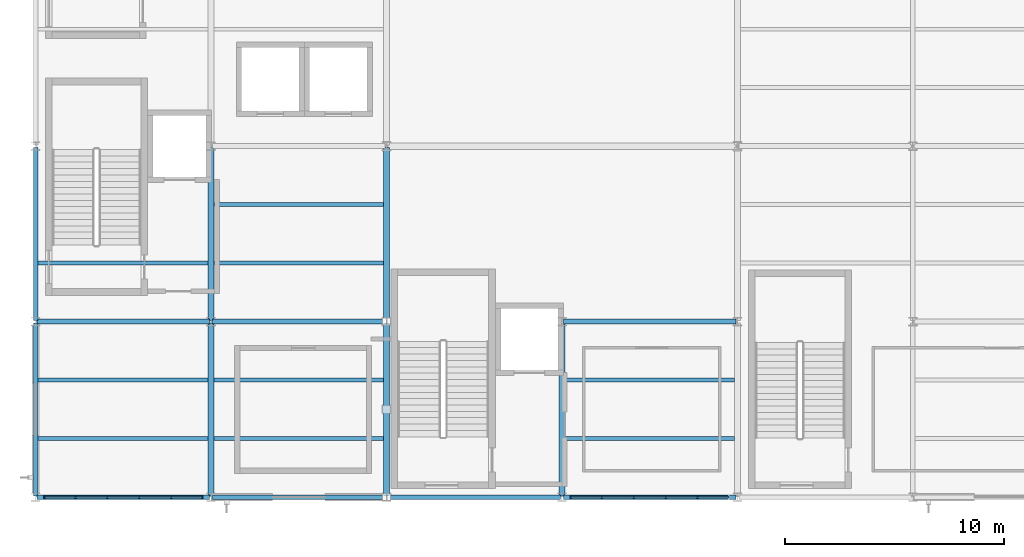
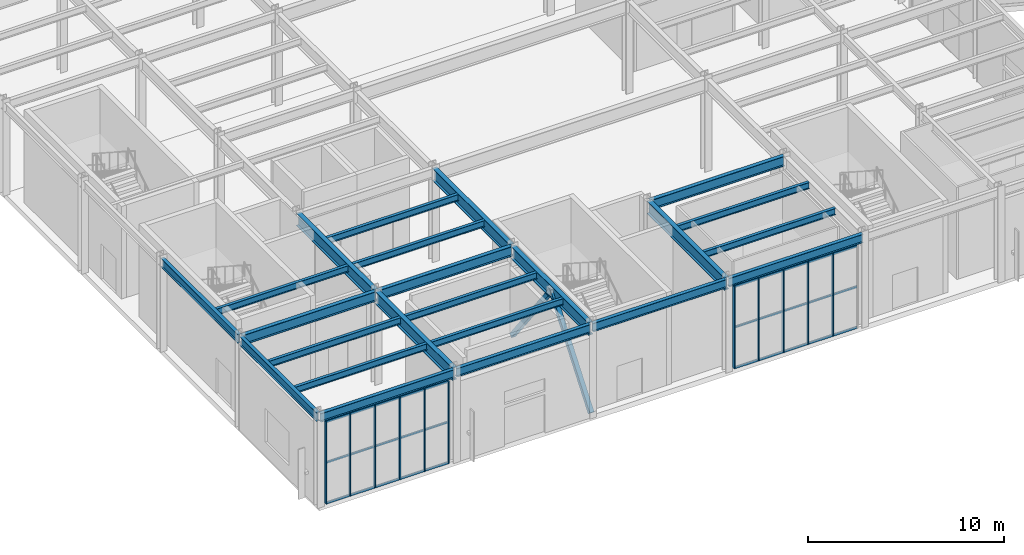
# One storey, part 27 of 82: 23 beams, 19 members, 2 elements without a shape of their own.
"""IFC4 building model written with IfcOpenShell, lengths in metres."""

from ifc_helpers import new_model, si_unit, direction, frame, origin, origin_2d, place, context, subcontext, project, spatial, rectangle, hollow_rectangle, i_section, extrude, material, material_profile, profile_set, type_object, element, aggregate, save


model = new_model("IFC4")

# Units and contexts
model_context = context("Model", 3, precision=1e-05, world=origin(), true_north=direction((0.0, 1.0)))
body_context = subcontext(model_context, "Body", "Model", "MODEL_VIEW")
ifc_project = project(units=[si_unit("LENGTHUNIT", "METRE"), si_unit("AREAUNIT", "SQUARE_METRE"), si_unit("VOLUMEUNIT", "CUBIC_METRE"), si_unit("PLANEANGLEUNIT", "RADIAN"), si_unit("MASSUNIT", "GRAM", prefix="KILO")], contexts=[model_context])

# Site, building, storey
site_placement = place(None, origin())
site = spatial("IfcSite", under=ifc_project, at=site_placement, CompositionType="ELEMENT")
building_placement = place(site_placement, origin())
building = spatial("IfcBuilding", under=site, at=building_placement, Name="Drelvath Fold Interchange", CompositionType="ELEMENT")
storey_placement = place(building_placement, origin())
storey = spatial("IfcBuildingStorey", under=building, at=storey_placement, Name="L00", CompositionType="ELEMENT", Elevation=0.0)

# Beams
ifc_material_1 = material(Name="Steel ASTM A992 Grade 50", Category="steel")
ifc_material_profile_1 = material_profile(ifc_material_1, i_section(OverallWidth=0.177978515625, OverallDepth=0.403076171875, WebThickness=0.007568359375, FlangeThickness=0.010986328125, at=origin_2d()), Name="W16X36")
ifc_profile_set_1 = profile_set([ifc_material_profile_1], Name="Steel ASTM A992 Grade 50")
beam_type_1 = type_object("IfcBeamType", Name="BM-W16X36", PredefinedType="JOIST", material=ifc_profile_set_1)
for number, where, z_axis, x_axis, name in (
    (1, (4.10302734375, 5.6669921875, 5.55810546875), (1.0, 0.0, 0.0), (0.0, 1.0, 0.0), "L00 Secondary floor joist BM-W16X36"),
    (2, (4.10302734375, 8.3330078125, 5.55810546875), (1.0, 0.0, 0.0), (0.0, 1.0, 0.0), "L00 Secondary floor joist BM-W16X36"),
    (3, (4.10302734375, 13.6669921875, 5.55810546875), (1.0, 0.0, 0.0), (0.0, 1.0, 0.0), "L00 Secondary floor joist BM-W16X36"),
):
    element("IfcBeam", number, at=place(storey_placement, frame(where, z_axis=z_axis, x_axis=x_axis)), inside=storey, type_object=beam_type_1, Name=name, PredefinedType="JOIST", context=body_context, shape_type="SweptSolid", body=[
        extrude(i_section(OverallWidth=0.177978515625, OverallDepth=0.403076171875, WebThickness=0.007568359375, FlangeThickness=0.010986328125, at=origin_2d()), origin(), (0.0, 0.0, 1.0), 7.765869140625),
    ])
for number, where, z_axis, x_axis, name in (
    (4, (12.131103515625, 5.6669921875, 5.55810546875), (1.0, 0.0, 0.0), (0.0, 1.0, 0.0), "L00 Secondary floor joist BM-W16X36"),
    (5, (12.131103515625, 8.3330078125, 5.55810546875), (1.0, 0.0, 0.0), (0.0, 1.0, 0.0), "L00 Secondary floor joist BM-W16X36"),
    (6, (12.131103515625, 13.6669921875, 5.55810546875), (1.0, 0.0, 0.0), (0.0, 1.0, 0.0), "L00 Secondary floor joist BM-W16X36"),
    (7, (12.131103515625, 16.3330078125, 5.55810546875), (1.0, 0.0, 0.0), (0.0, 1.0, 0.0), "L00 Secondary floor joist BM-W16X36"),
    (8, (28.131103515625, 5.6669921875, 5.55810546875), (1.0, 0.0, 0.0), (0.0, 1.0, 0.0), "L00 Secondary floor joist BM-W16X36"),
    (9, (28.131103515625, 8.3330078125, 5.55810546875), (1.0, 0.0, 0.0), (0.0, 1.0, 0.0), "L00 Secondary floor joist BM-W16X36"),
):
    element("IfcBeam", number, at=place(storey_placement, frame(where, z_axis=z_axis, x_axis=x_axis)), inside=storey, type_object=beam_type_1, Name=name, PredefinedType="JOIST", context=body_context, shape_type="SweptSolid", body=[
        extrude(i_section(OverallWidth=0.177978515625, OverallDepth=0.403076171875, WebThickness=0.007568359375, FlangeThickness=0.010986328125, at=origin_2d()), origin(), (0.0, 0.0, 1.0), 7.73779296875),
    ])
ifc_material_profile_2 = material_profile(ifc_material_1, i_section(OverallWidth=0.2099609375, OverallDepth=0.537109375, WebThickness=0.010986328125, FlangeThickness=0.017333984375, at=origin_2d()), Name="W21X68")
ifc_profile_set_2 = profile_set([ifc_material_profile_2], Name="Steel ASTM A992 Grade 50")
beam_type_2 = type_object("IfcBeamType", Name="BM-W21X68", PredefinedType="SPANDREL", material=ifc_profile_set_2)
for number, where, z_axis, x_axis, name in (
    (10, (4.06005859375, 3.0, 5.490966796875), (1.0, 0.0, 0.0), (0.0, 1.0, 0.0), "L00 Primary X girder BM-W21X68"),
    (11, (12.06005859375, 3.0, 5.490966796875), (1.0, 0.0, 0.0), (0.0, 1.0, 0.0), "L00 Primary X girder BM-W21X68"),
    (12, (20.06005859375, 3.0, 5.490966796875), (1.0, 0.0, 0.0), (0.0, 1.0, 0.0), "L00 Primary X girder BM-W21X68"),
    (13, (28.06005859375, 3.0, 5.490966796875), (1.0, 0.0, 0.0), (0.0, 1.0, 0.0), "L00 Primary X girder BM-W21X68"),
    (14, (4.0, 3.06005859375, 5.490966796875), (0.0, 1.0, 0.0), (-1.0, 0.0, 0.0), "L00 Primary Y girder BM-W21X68"),
    (15, (4.0, 11.06005859375, 5.490966796875), (0.0, 1.0, 0.0), (-1.0, 0.0, 0.0), "L00 Primary Y girder BM-W21X68"),
):
    element("IfcBeam", number, at=place(storey_placement, frame(where, z_axis=z_axis, x_axis=x_axis)), inside=storey, type_object=beam_type_2, Name=name, PredefinedType="SPANDREL", context=body_context, shape_type="SweptSolid", body=[
        extrude(i_section(OverallWidth=0.2099609375, OverallDepth=0.537109375, WebThickness=0.010986328125, FlangeThickness=0.017333984375, at=origin_2d()), origin(), (0.0, 0.0, 1.0), 7.8798828125),
    ])
ifc_material_profile_3 = material_profile(ifc_material_1, i_section(OverallWidth=0.22998046875, OverallDepth=0.616943359375, WebThickness=0.01318359375, FlangeThickness=0.022216796875, at=origin_2d()), Name="W24X94")
ifc_profile_set_3 = profile_set([ifc_material_profile_3], Name="Steel ASTM A992 Grade 50")
beam_type_3 = type_object("IfcBeamType", Name="BM-W24X94", PredefinedType="BEAM", material=ifc_profile_set_3)
for number, where, z_axis, x_axis, name in (
    (16, (4.06005859375, 11.0, 5.450927734375), (1.0, 0.0, 0.0), (0.0, 1.0, 0.0), "L00 Primary X girder BM-W24X94"),
    (17, (12.06005859375, 11.0, 5.450927734375), (1.0, 0.0, 0.0), (0.0, 1.0, 0.0), "L00 Primary X girder BM-W24X94"),
    (18, (28.06005859375, 11.0, 5.450927734375), (1.0, 0.0, 0.0), (0.0, 1.0, 0.0), "L00 Primary X girder BM-W24X94"),
):
    element("IfcBeam", number, at=place(storey_placement, frame(where, z_axis=z_axis, x_axis=x_axis)), inside=storey, type_object=beam_type_3, Name=name, PredefinedType="BEAM", context=body_context, shape_type="SweptSolid", body=[
        extrude(i_section(OverallWidth=0.22998046875, OverallDepth=0.616943359375, WebThickness=0.01318359375, FlangeThickness=0.022216796875, at=origin_2d()), origin(), (0.0, 0.0, 1.0), 7.8798828125),
    ])
ifc_material_profile_4 = material_profile(ifc_material_1, i_section(OverallWidth=0.26611328125, OverallDepth=0.779052734375, WebThickness=0.0166015625, FlangeThickness=0.030029296875, at=origin_2d()), Name="W30X148")
ifc_profile_set_4 = profile_set([ifc_material_profile_4], Name="Steel ASTM A992 Grade 50")
beam_type_4 = type_object("IfcBeamType", Name="BM-W30X148", PredefinedType="BEAM", material=ifc_profile_set_4)
for number, where, z_axis, x_axis, name in (
    (19, (12.0, 3.06005859375, 5.3701171875), (0.0, 1.0, 0.0), (-1.0, 0.0, 0.0), "L00 Primary Y girder BM-W30X148"),
    (20, (12.0, 11.06005859375, 5.3701171875), (0.0, 1.0, 0.0), (-1.0, 0.0, 0.0), "L00 Primary Y girder BM-W30X148"),
    (21, (20.0, 3.06005859375, 5.3701171875), (0.0, 1.0, 0.0), (-1.0, 0.0, 0.0), "L00 Primary Y girder BM-W30X148"),
    (22, (20.0, 11.06005859375, 5.3701171875), (0.0, 1.0, 0.0), (-1.0, 0.0, 0.0), "L00 Primary Y girder BM-W30X148"),
    (23, (28.0, 3.06005859375, 5.3701171875), (0.0, 1.0, 0.0), (-1.0, 0.0, 0.0), "L00 Primary Y girder BM-W30X148"),
):
    element("IfcBeam", number, at=place(storey_placement, frame(where, z_axis=z_axis, x_axis=x_axis)), inside=storey, type_object=beam_type_4, Name=name, PredefinedType="BEAM", context=body_context, shape_type="SweptSolid", body=[
        extrude(i_section(OverallWidth=0.26611328125, OverallDepth=0.779052734375, WebThickness=0.0166015625, FlangeThickness=0.030029296875, at=origin_2d()), origin(), (0.0, 0.0, 1.0), 7.8798828125),
    ])

# Members
ifc_material_2 = material(Name="Steel ASTM A500 Grade C", Category="steel")
ifc_material_profile_5 = material_profile(ifc_material_2, hollow_rectangle(XDim=0.25390625, YDim=0.25390625, WallThickness=0.01171875, at=origin_2d()), Name="HSS10X10X1/2")
ifc_profile_set_5 = profile_set([ifc_material_profile_5], Name="Steel ASTM A500 Grade C")
member_type_1 = type_object("IfcMemberType", Name="BR-CBF254", PredefinedType="BRACE", material=ifc_profile_set_5)
for number, where, z_axis, x_axis, name in (
    (24, (20.0, 3.0, 0.159912109375), (0.0, 0.608959667111, 0.793201187488), (-1.0, 0.0, 0.0), "L00 Concentrically braced frame diagonal BR-CBF254"),
    (25, (20.0, 11.0, 0.159912109375), (0.0, -0.608959667111, 0.793201187488), (1.0, 0.0, 0.0), "L00 Concentrically braced frame diagonal BR-CBF254"),
):
    element("IfcMember", number, at=place(storey_placement, frame(where, z_axis=z_axis, x_axis=x_axis)), inside=storey, type_object=member_type_1, Name=name, PredefinedType="BRACE", context=body_context, shape_type="SweptSolid", body=[
        extrude(hollow_rectangle(XDim=0.25390625, YDim=0.25390625, WallThickness=0.01171875, at=origin_2d()), origin(), (0.0, 0.0, 1.0), 6.568603515625),
    ])

# Curtain wall, members
ifc_material_3 = material(Name="Anodized Aluminium 6063-T6", Category="aluminium")
curtain_wall_type = type_object("IfcCurtainWallType", Name="CW-OPS-L00", PredefinedType="USERDEFINED", material=ifc_material_3)
curtain_wall_1_placement = place(storey_placement, origin())
curtain_wall_1 = element("IfcCurtainWall", 26, at=curtain_wall_1_placement, inside=storey, type_object=curtain_wall_type, Name="Curtain wall CW-V5-L00-S4", ObjectType="UNITISED CURTAIN WALL", PredefinedType="USERDEFINED")
ifc_material_profile_6 = material_profile(ifc_material_3, rectangle(XDim=0.06005859375, YDim=0.175048828125, at=origin_2d()), Name="AL-M 60x175")
ifc_profile_set_6 = profile_set([ifc_material_profile_6], Name="Anodized Aluminium 6063-T6")
member_type_2 = type_object("IfcMemberType", Name="ML-175", PredefinedType="MULLION", material=ifc_profile_set_6)
member_1_placement = place(storey_placement, frame((4.39990234375, 3.0, 0.0), z_axis=(0.0, 0.0, 1.0), x_axis=(1.0, 0.0, 0.0)))
member_1 = element("IfcMember", 27, at=member_1_placement, type_object=member_type_2, Name="CW-V5-L00-S4 mullion 0", PredefinedType="MULLION", context=body_context, shape_type="SweptSolid", body=[
    extrude(rectangle(XDim=0.06005859375, YDim=0.175048828125, at=origin_2d()), origin(), (0.0, 0.0, 1.0), 5.10009765625),
])
member_2_placement = place(storey_placement, frame((5.81591796875, 3.0, 0.0), z_axis=(0.0, 0.0, 1.0), x_axis=(1.0, 0.0, 0.0)))
member_2 = element("IfcMember", 28, at=member_2_placement, type_object=member_type_2, Name="CW-V5-L00-S4 mullion 1", PredefinedType="MULLION", context=body_context, shape_type="SweptSolid", body=[
    extrude(rectangle(XDim=0.06005859375, YDim=0.175048828125, at=origin_2d()), origin(), (0.0, 0.0, 1.0), 5.10009765625),
])
member_3_placement = place(storey_placement, frame((7.27197265625, 3.0, 0.0), z_axis=(0.0, 0.0, 1.0), x_axis=(1.0, 0.0, 0.0)))
member_3 = element("IfcMember", 29, at=member_3_placement, type_object=member_type_2, Name="CW-V5-L00-S4 mullion 2", PredefinedType="MULLION", context=body_context, shape_type="SweptSolid", body=[
    extrude(rectangle(XDim=0.06005859375, YDim=0.175048828125, at=origin_2d()), origin(), (0.0, 0.0, 1.0), 5.10009765625),
])
member_4_placement = place(storey_placement, frame((8.72802734375, 3.0, 0.0), z_axis=(0.0, 0.0, 1.0), x_axis=(1.0, 0.0, 0.0)))
member_4 = element("IfcMember", 30, at=member_4_placement, type_object=member_type_2, Name="CW-V5-L00-S4 mullion 3", PredefinedType="MULLION", context=body_context, shape_type="SweptSolid", body=[
    extrude(rectangle(XDim=0.06005859375, YDim=0.175048828125, at=origin_2d()), origin(), (0.0, 0.0, 1.0), 5.10009765625),
])
member_5_placement = place(storey_placement, frame((10.18408203125, 3.0, 0.0), z_axis=(0.0, 0.0, 1.0), x_axis=(1.0, 0.0, 0.0)))
member_5 = element("IfcMember", 31, at=member_5_placement, type_object=member_type_2, Name="CW-V5-L00-S4 mullion 4", PredefinedType="MULLION", context=body_context, shape_type="SweptSolid", body=[
    extrude(rectangle(XDim=0.06005859375, YDim=0.175048828125, at=origin_2d()), origin(), (0.0, 0.0, 1.0), 5.10009765625),
])
member_6_placement = place(storey_placement, frame((11.60009765625, 3.0, 0.0), z_axis=(0.0, 0.0, 1.0), x_axis=(1.0, 0.0, 0.0)))
member_6 = element("IfcMember", 32, at=member_6_placement, type_object=member_type_2, Name="CW-V5-L00-S4 mullion 5", PredefinedType="MULLION", context=body_context, shape_type="SweptSolid", body=[
    extrude(rectangle(XDim=0.06005859375, YDim=0.175048828125, at=origin_2d()), origin(), (0.0, 0.0, 1.0), 5.10009765625),
])

curtain_wall_2_placement = place(storey_placement, origin())
curtain_wall_2 = element("IfcCurtainWall", 33, at=curtain_wall_2_placement, inside=storey, type_object=curtain_wall_type, Name="Curtain wall CW-V5-L00-S28", ObjectType="UNITISED CURTAIN WALL", PredefinedType="USERDEFINED")
member_7_placement = place(storey_placement, frame((28.39990234375, 3.0, 0.0), z_axis=(0.0, 0.0, 1.0), x_axis=(1.0, 0.0, 0.0)))
member_7 = element("IfcMember", 34, at=member_7_placement, type_object=member_type_2, Name="CW-V5-L00-S28 mullion 0", PredefinedType="MULLION", context=body_context, shape_type="SweptSolid", body=[
    extrude(rectangle(XDim=0.06005859375, YDim=0.175048828125, at=origin_2d()), origin(), (0.0, 0.0, 1.0), 5.10009765625),
])
member_8_placement = place(storey_placement, frame((29.81591796875, 3.0, 0.0), z_axis=(0.0, 0.0, 1.0), x_axis=(1.0, 0.0, 0.0)))
member_8 = element("IfcMember", 35, at=member_8_placement, type_object=member_type_2, Name="CW-V5-L00-S28 mullion 1", PredefinedType="MULLION", context=body_context, shape_type="SweptSolid", body=[
    extrude(rectangle(XDim=0.06005859375, YDim=0.175048828125, at=origin_2d()), origin(), (0.0, 0.0, 1.0), 5.10009765625),
])
member_9_placement = place(storey_placement, frame((31.27197265625, 3.0, 0.0), z_axis=(0.0, 0.0, 1.0), x_axis=(1.0, 0.0, 0.0)))
member_9 = element("IfcMember", 36, at=member_9_placement, type_object=member_type_2, Name="CW-V5-L00-S28 mullion 2", PredefinedType="MULLION", context=body_context, shape_type="SweptSolid", body=[
    extrude(rectangle(XDim=0.06005859375, YDim=0.175048828125, at=origin_2d()), origin(), (0.0, 0.0, 1.0), 5.10009765625),
])
member_10_placement = place(storey_placement, frame((32.72802734375, 3.0, 0.0), z_axis=(0.0, 0.0, 1.0), x_axis=(1.0, 0.0, 0.0)))
member_10 = element("IfcMember", 37, at=member_10_placement, type_object=member_type_2, Name="CW-V5-L00-S28 mullion 3", PredefinedType="MULLION", context=body_context, shape_type="SweptSolid", body=[
    extrude(rectangle(XDim=0.06005859375, YDim=0.175048828125, at=origin_2d()), origin(), (0.0, 0.0, 1.0), 5.10009765625),
])
member_11_placement = place(storey_placement, frame((34.18408203125, 3.0, 0.0), z_axis=(0.0, 0.0, 1.0), x_axis=(1.0, 0.0, 0.0)))
member_11 = element("IfcMember", 38, at=member_11_placement, type_object=member_type_2, Name="CW-V5-L00-S28 mullion 4", PredefinedType="MULLION", context=body_context, shape_type="SweptSolid", body=[
    extrude(rectangle(XDim=0.06005859375, YDim=0.175048828125, at=origin_2d()), origin(), (0.0, 0.0, 1.0), 5.10009765625),
])

# Member
ifc_material_profile_7 = material_profile(ifc_material_3, rectangle(XDim=0.06005859375, YDim=0.139892578125, at=origin_2d()), Name="AL-T 60x140")
ifc_profile_set_7 = profile_set([ifc_material_profile_7], Name="Anodized Aluminium 6063-T6")
member_type_3 = type_object("IfcMemberType", Name="TR-140", PredefinedType="USERDEFINED", material=ifc_profile_set_7)
member_12_placement = place(storey_placement, frame((4.39990234375, 3.0, 0.030029296875), z_axis=(1.0, 0.0, 0.0), x_axis=(0.0, 1.0, 0.0)))
member_12 = element("IfcMember", 39, at=member_12_placement, type_object=member_type_3, Name="CW-V5-L00-S4 transom 0", ObjectType="TRANSOM", PredefinedType="USERDEFINED", context=body_context, shape_type="SweptSolid", body=[
    extrude(rectangle(XDim=0.06005859375, YDim=0.139892578125, at=origin_2d()), origin(), (0.0, 0.0, 1.0), 7.2001953125),
])

member_13_placement = place(storey_placement, frame((4.39990234375, 3.0, 2.550048828125), z_axis=(1.0, 0.0, 0.0), x_axis=(0.0, 1.0, 0.0)))
member_13 = element("IfcMember", 40, at=member_13_placement, type_object=member_type_3, Name="CW-V5-L00-S4 transom 1", ObjectType="TRANSOM", PredefinedType="USERDEFINED", context=body_context, shape_type="SweptSolid", body=[
    extrude(rectangle(XDim=0.06005859375, YDim=0.139892578125, at=origin_2d()), origin(), (0.0, 0.0, 1.0), 7.2001953125),
])

member_14_placement = place(storey_placement, frame((4.39990234375, 3.0, 5.070068359375), z_axis=(1.0, 0.0, 0.0), x_axis=(0.0, 1.0, 0.0)))
member_14 = element("IfcMember", 41, at=member_14_placement, type_object=member_type_3, Name="CW-V5-L00-S4 transom 2", ObjectType="TRANSOM", PredefinedType="USERDEFINED", context=body_context, shape_type="SweptSolid", body=[
    extrude(rectangle(XDim=0.06005859375, YDim=0.139892578125, at=origin_2d()), origin(), (0.0, 0.0, 1.0), 7.2001953125),
])

aggregate(curtain_wall_1, [member_1, member_2, member_3, member_4, member_5, member_6, member_12, member_13, member_14])

member_15_placement = place(storey_placement, frame((28.39990234375, 3.0, 0.030029296875), z_axis=(1.0, 0.0, 0.0), x_axis=(0.0, 1.0, 0.0)))
member_15 = element("IfcMember", 42, at=member_15_placement, type_object=member_type_3, Name="CW-V5-L00-S28 transom 0", ObjectType="TRANSOM", PredefinedType="USERDEFINED", context=body_context, shape_type="SweptSolid", body=[
    extrude(rectangle(XDim=0.06005859375, YDim=0.139892578125, at=origin_2d()), origin(), (0.0, 0.0, 1.0), 7.2001953125),
])

member_16_placement = place(storey_placement, frame((28.39990234375, 3.0, 2.550048828125), z_axis=(1.0, 0.0, 0.0), x_axis=(0.0, 1.0, 0.0)))
member_16 = element("IfcMember", 43, at=member_16_placement, type_object=member_type_3, Name="CW-V5-L00-S28 transom 1", ObjectType="TRANSOM", PredefinedType="USERDEFINED", context=body_context, shape_type="SweptSolid", body=[
    extrude(rectangle(XDim=0.06005859375, YDim=0.139892578125, at=origin_2d()), origin(), (0.0, 0.0, 1.0), 7.2001953125),
])

member_17_placement = place(storey_placement, frame((28.39990234375, 3.0, 5.070068359375), z_axis=(1.0, 0.0, 0.0), x_axis=(0.0, 1.0, 0.0)))
member_17 = element("IfcMember", 44, at=member_17_placement, type_object=member_type_3, Name="CW-V5-L00-S28 transom 2", ObjectType="TRANSOM", PredefinedType="USERDEFINED", context=body_context, shape_type="SweptSolid", body=[
    extrude(rectangle(XDim=0.06005859375, YDim=0.139892578125, at=origin_2d()), origin(), (0.0, 0.0, 1.0), 7.2001953125),
])

aggregate(curtain_wall_2, [member_7, member_8, member_9, member_10, member_11, member_15, member_16, member_17])

save(model, "model.ifc")
